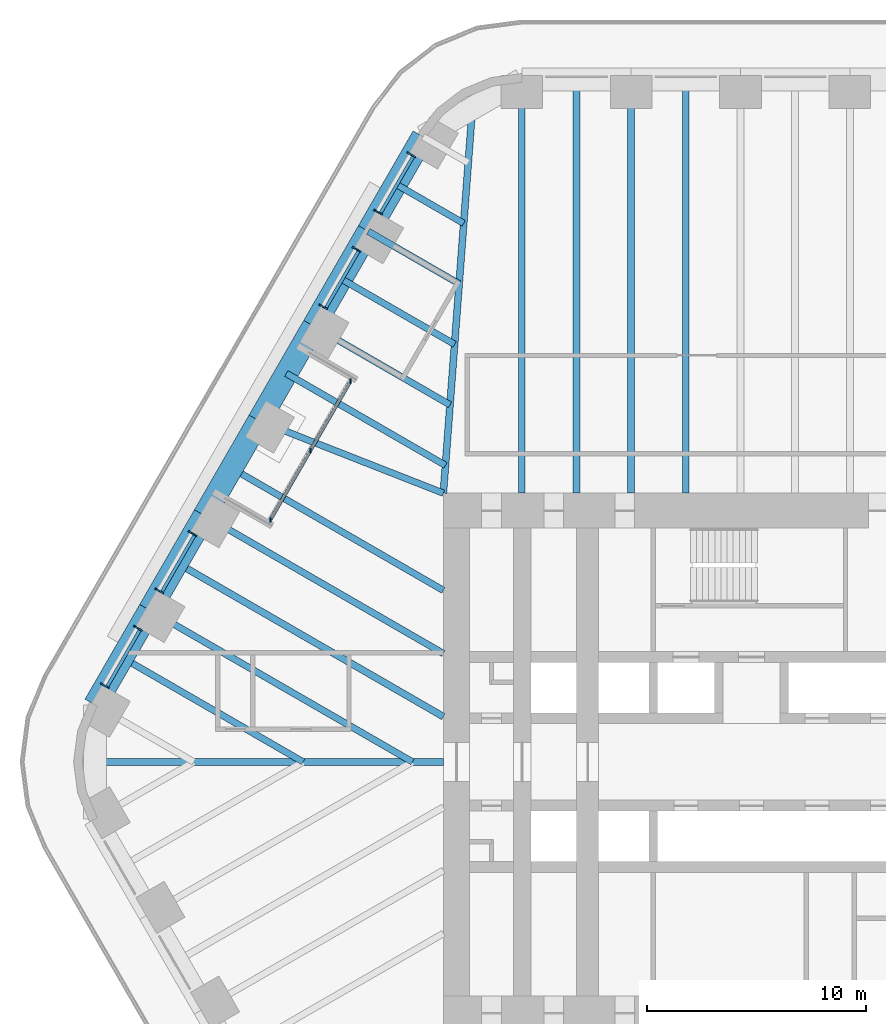
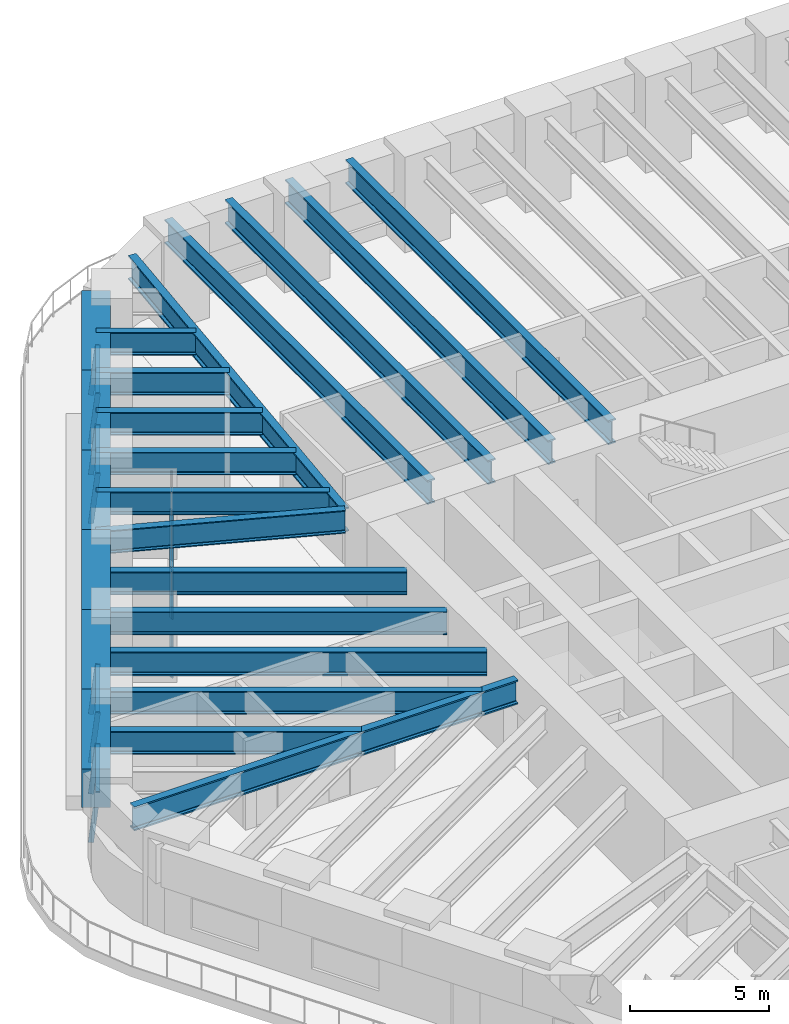
# One storey, part 6 of 19: 23 beams, 16 members, 5 elements without a shape of their own.
"""IFC4 building model written with IfcOpenShell, lengths in metres."""

import ifcopenshell
import ifcopenshell.guid

model = None  # the IFC model being written
_history = None  # IfcOwnerHistory: only IFC2X3 demands one
_inside = {}  # id of a spatial element -> (the spatial element, [elements in it])
_under = {}  # id of a project, library or spatial element -> (it, [spatial elements below it])
_declared = {}  # id of a project -> (the project, [libraries it declares])
_typed = {}  # id of a type object -> (the type object, [elements of that type])
_made_of = {}  # id of a material, layer set ... -> (it, [elements and type objects made of it])


def new_model(schema):
    """Start an empty IFC model of exactly this schema.

    Asked for "IFC4X3", IfcOpenShell would pick the latest addendum, in which some entities
    have other attributes; the version numbers below select the first issue.
    IFC2X3 requires an IfcOwnerHistory on every rooted entity: one is made here for all.
    """
    global model, _history
    if schema == "IFC4X3":
        model = ifcopenshell.file(schema_version=(4, 3, 0, 0))
    else:
        model = ifcopenshell.file(schema=schema)
    _inside.clear()
    _under.clear()
    _declared.clear()
    _typed.clear()
    _made_of.clear()
    _history = None
    if model.schema == "IFC2X3":
        org = make("IfcOrganization", Name="unknown")
        user = make(
            "IfcPersonAndOrganization",
            ThePerson=make("IfcPerson", FamilyName="unknown"),
            TheOrganization=org,
        )
        app = make(
            "IfcApplication",
            ApplicationDeveloper=org,
            Version="unknown",
            ApplicationFullName="unknown",
            ApplicationIdentifier="unknown",
        )
        _history = make(
            "IfcOwnerHistory",
            OwningUser=user,
            OwningApplication=app,
            ChangeAction="ADDED",
            CreationDate=0,
        )
    return model


def make(cls, **values):
    """One entity of the class cls with the attributes given. An attribute that is None is left unset."""
    return model.create_entity(
        cls, **{name: value for name, value in values.items() if value is not None}
    )


def rooted(cls, **values):
    """An entity with a GlobalId (a new one), such as an element, a storey or a relation."""
    return make(cls, GlobalId=ifcopenshell.guid.new(), OwnerHistory=_history, **values)


def si_unit(unit_type, name, prefix=None):
    """IfcSIUnit, for example si_unit("LENGTHUNIT", "METRE", prefix="MILLI")."""
    return make("IfcSIUnit", UnitType=unit_type, Prefix=prefix, Name=name)


def assignment(units):
    """IfcUnitAssignment: the units of a project."""
    return None if units is None else make("IfcUnitAssignment", Units=units)


def point(xyz):
    """IfcCartesianPoint."""
    return None if xyz is None else make("IfcCartesianPoint", Coordinates=xyz)


def direction(xyz):
    """IfcDirection."""
    return None if xyz is None else make("IfcDirection", DirectionRatios=xyz)


def frame(location, z_axis=None, x_axis=None):
    """IfcAxis2Placement3D, a coordinate frame: its origin and axes. An axis left out is left unset."""
    return make(
        "IfcAxis2Placement3D",
        Location=point(location),
        Axis=direction(z_axis),
        RefDirection=direction(x_axis),
    )


def frame_2d(location, x_axis=None):
    """IfcAxis2Placement2D, a coordinate frame in the plane: its origin and x axis."""
    return make(
        "IfcAxis2Placement2D", Location=point(location), RefDirection=direction(x_axis)
    )


def origin():
    """The frame at (0, 0, 0) with its axes left unset."""
    return frame((0.0, 0.0, 0.0))


def origin_2d():
    """The frame at (0, 0) in the plane with its x axis left unset."""
    return frame_2d((0.0, 0.0))


def place(relative_to, where):
    """IfcLocalPlacement: puts the frame where relative to a parent placement (None: the world)."""
    return make(
        "IfcLocalPlacement", PlacementRelTo=relative_to, RelativePlacement=where
    )


def context(
    kind, dimensions, precision=None, world=None, true_north=None, identifier=None
):
    """IfcGeometricRepresentationContext, for example the 3D "Model" context."""
    return make(
        "IfcGeometricRepresentationContext",
        ContextIdentifier=identifier,
        ContextType=kind,
        CoordinateSpaceDimension=dimensions,
        Precision=precision,
        WorldCoordinateSystem=world,
        TrueNorth=true_north,
    )


def subcontext(parent, identifier, kind, view, scale=None):
    """IfcGeometricRepresentationSubContext, for example "Body" below "Model"."""
    return make(
        "IfcGeometricRepresentationSubContext",
        ContextIdentifier=identifier,
        ContextType=kind,
        ParentContext=parent,
        TargetScale=scale,
        TargetView=view,
    )


def project(units=None, contexts=None):
    """IfcProject with its units and contexts."""
    return rooted(
        "IfcProject",
        Name="project",
        RepresentationContexts=contexts,
        UnitsInContext=assignment(units),
    )


def spatial(cls, under=None, at=None, **own):
    """A site, building, storey or space (cls), placed at a placement, below another one or the project."""
    s = rooted(cls, ObjectPlacement=at, **own)
    if under is not None:
        _under.setdefault(under.id(), (under, []))[1].append(s)
    return s


def profile(cls, at=None, kind="AREA", **sizes):
    """A parametric profile (cls). Its sizes go by their IFC names, for example OverallWidth=200.0."""
    return make(cls, ProfileType=kind, Position=at, **sizes)


def rectangle(**sizes):
    """IfcRectangleProfileDef."""
    return profile("IfcRectangleProfileDef", **sizes)


def i_section(**sizes):
    """IfcIShapeProfileDef."""
    return profile("IfcIShapeProfileDef", **sizes)


def extrude(swept, where, along, depth):
    """IfcExtrudedAreaSolid: the profile swept, set in the frame where, extruded along a direction by depth."""
    return make(
        "IfcExtrudedAreaSolid",
        SweptArea=swept,
        Position=where,
        ExtrudedDirection=direction(along),
        Depth=depth,
    )


def shape(context_of_items, identifier, shape_type, items):
    """IfcShapeRepresentation: the items that make up one representation, for example the "Body"."""
    return make(
        "IfcShapeRepresentation",
        ContextOfItems=context_of_items,
        RepresentationIdentifier=identifier,
        RepresentationType=shape_type,
        Items=items,
    )


def material(Name=None, Category=None):
    """IfcMaterial."""
    return make("IfcMaterial", Name=Name, Category=Category)


def material_profile(
    of_material, cross_section, Name=None, Category=None, Priority=None
):
    """IfcMaterialProfile: a cross section and its material."""
    return make(
        "IfcMaterialProfile",
        Name=Name,
        Material=of_material,
        Profile=cross_section,
        Priority=Priority,
        Category=Category,
    )


def profile_set(profiles, Name=None, composite=None):
    """IfcMaterialProfileSet."""
    return make(
        "IfcMaterialProfileSet",
        Name=Name,
        MaterialProfiles=profiles,
        CompositeProfile=composite,
    )


def made_of(thing, what):
    """Note that an element or type object is made of a material, layer set ...; save() writes the relation."""
    if what is not None:
        _made_of.setdefault(what.id(), (what, []))[1].append(thing)
    return thing


def type_object(cls, material=None, **own):
    """A type object (cls), such as IfcWallType, which elements share."""
    return made_of(rooted(cls, **own), material)


def element(
    cls,
    number,
    at=None,
    inside=None,
    cuts=None,
    type_object=None,
    material=None,
    context=None,
    identifier="Body",
    shape_type=None,
    held_by="IfcProductDefinitionShape",
    body=None,
    shapes=None,
    **own,
):
    """One element of the class cls, such as IfcWall. Its Tag is "e" and its number.

    at: its placement. inside: the storey or other place that contains it. cuts: it is an
    opening in that element (IfcRelVoidsElement). A single representation is given by context,
    identifier, shape_type and body (its items); several are given by shapes. held_by: the class
    of the entity that holds the representations. save() writes the other relations.
    """
    e = rooted(cls, Tag="e%d" % number, ObjectPlacement=at, **own)
    if body is not None:
        shapes = [shape(context, identifier, shape_type, body)]
    if shapes is not None:
        e.Representation = make(held_by, Representations=shapes)
    if inside is not None:
        _inside.setdefault(inside.id(), (inside, []))[1].append(e)
    if cuts is not None:
        rooted(
            "IfcRelVoidsElement", RelatingBuildingElement=cuts, RelatedOpeningElement=e
        )
    if type_object is not None:
        _typed.setdefault(type_object.id(), (type_object, []))[1].append(e)
    return made_of(e, material)


def aggregate(whole, parts):
    """IfcRelAggregates: a whole, such as a stair, and the parts it consists of."""
    return rooted("IfcRelAggregates", RelatingObject=whole, RelatedObjects=parts)


def save(model, path):
    """Write the relations noted so far, then the file.

    IfcRelAggregates (storeys below a building ...), IfcRelContainedInSpatialStructure (elements
    in a storey), IfcRelDefinesByType, IfcRelAssociatesMaterial and IfcRelDeclares: one each for
    every whole, place, type object, material and project.
    """
    for whole, parts in _under.values():
        aggregate(whole, parts)
    for where, things in _inside.values():
        rooted(
            "IfcRelContainedInSpatialStructure",
            RelatedElements=things,
            RelatingStructure=where,
        )
    for kind, things in _typed.values():
        rooted("IfcRelDefinesByType", RelatedObjects=things, RelatingType=kind)
    for what, things in _made_of.values():
        rooted("IfcRelAssociatesMaterial", RelatedObjects=things, RelatingMaterial=what)
    for by, libraries in _declared.values():
        rooted("IfcRelDeclares", RelatingContext=by, RelatedDefinitions=libraries)
    model.write(path)


model = new_model("IFC4")

# Units and contexts
model_context = context("Model", 3, precision=1e-05, world=origin(), true_north=direction((0.0, 1.0)))
body_context = subcontext(model_context, "Body", "Model", "MODEL_VIEW")
ifc_project = project(units=[si_unit("LENGTHUNIT", "METRE"), si_unit("AREAUNIT", "SQUARE_METRE"), si_unit("VOLUMEUNIT", "CUBIC_METRE"), si_unit("PLANEANGLEUNIT", "RADIAN"), si_unit("MASSUNIT", "GRAM", prefix="KILO")], contexts=[model_context])

# Site, building, storey
site_placement = place(None, origin())
site = spatial("IfcSite", under=ifc_project, at=site_placement, CompositionType="ELEMENT")
building_placement = place(site_placement, origin())
building = spatial("IfcBuilding", under=site, at=building_placement, Name="Tarfa Lantern Tower", CompositionType="ELEMENT")
storey_placement = place(building_placement, frame((0.0, 0.0, 199.300048828125)))
storey = spatial("IfcBuildingStorey", under=building, at=storey_placement, Name="L45", CompositionType="ELEMENT", Elevation=199.300048828125)

# Curtain wall, members
ifc_material_1 = material(Name="Aluminium framed curtain wall", Category="aluminium")
curtain_wall_type_1 = type_object("IfcCurtainWallType", Name="CW2 CANTED GLAZING MID ZONE 2200", PredefinedType="USERDEFINED", material=ifc_material_1)
curtain_wall_1_placement = place(storey_placement, origin())
curtain_wall_1 = element("IfcCurtainWall", 1, at=curtain_wall_1_placement, inside=storey, type_object=curtain_wall_type_1, Name="CW2 NW L45", ObjectType="CURTAIN WALL", PredefinedType="USERDEFINED")
ifc_material_2 = material(Name="Aluminium mullion", Category="aluminium")
ifc_material_profile_1 = material_profile(ifc_material_2, rectangle(XDim=0.06494140625, YDim=0.199951171875, at=origin_2d()), Name="AL MULLION 65x200")
ifc_profile_set_1 = profile_set([ifc_material_profile_1], Name="Aluminium mullion")
member_type_1 = type_object("IfcMemberType", Name="CWM1 MULLION 65x200", PredefinedType="MULLION", material=ifc_profile_set_1)
member_1_placement = place(storey_placement, frame((-20.178955078125, 27.84912109375, 0.0), z_axis=(0.097805549444, -0.056455965406, 0.993602938033), x_axis=(0.499919672301, 0.866071776036, 0.0)))
member_1 = element("IfcMember", 2, at=member_1_placement, type_object=member_type_1, Name="CW2 mullion 1", PredefinedType="MULLION", context=body_context, shape_type="SweptSolid", body=[
    extrude(rectangle(XDim=0.06494140625, YDim=0.199951171875, at=origin_2d()), origin(), (0.0, 0.0, 1.0), 2.214111328125),
])
member_2_placement = place(storey_placement, frame((-21.6982421875, 25.217529296875, 0.0), z_axis=(0.097805549444, -0.056455965406, 0.993602938033), x_axis=(0.499919672301, 0.866071776036, 0.0)))
member_2 = element("IfcMember", 3, at=member_2_placement, type_object=member_type_1, Name="CW2 mullion 2", PredefinedType="MULLION", context=body_context, shape_type="SweptSolid", body=[
    extrude(rectangle(XDim=0.06494140625, YDim=0.199951171875, at=origin_2d()), origin(), (0.0, 0.0, 1.0), 2.214111328125),
])

curtain_wall_2_placement = place(storey_placement, origin())
curtain_wall_2 = element("IfcCurtainWall", 4, at=curtain_wall_2_placement, inside=storey, type_object=curtain_wall_type_1, Name="CW2 NW L45", ObjectType="CURTAIN WALL", PredefinedType="USERDEFINED")
member_3_placement = place(storey_placement, frame((-22.6806640625, 23.515869140625, 0.0), z_axis=(0.097696336912, -0.056456573927, 0.99361364776), x_axis=(0.500342721131, 0.865827443207, 0.0)))
member_3 = element("IfcMember", 5, at=member_3_placement, type_object=member_type_1, Name="CW2 mullion 1", PredefinedType="MULLION", context=body_context, shape_type="SweptSolid", body=[
    extrude(rectangle(XDim=0.06494140625, YDim=0.199951171875, at=origin_2d()), origin(), (0.0, 0.0, 1.0), 2.214111328125),
])
member_4_placement = place(storey_placement, frame((-24.2001953125, 20.88427734375, 0.0), z_axis=(0.097805549444, -0.056455965406, 0.993602938033), x_axis=(0.499919672301, 0.866071776036, 0.0)))
member_4 = element("IfcMember", 6, at=member_4_placement, type_object=member_type_1, Name="CW2 mullion 2", PredefinedType="MULLION", context=body_context, shape_type="SweptSolid", body=[
    extrude(rectangle(XDim=0.06494140625, YDim=0.199951171875, at=origin_2d()), origin(), (0.0, 0.0, 1.0), 2.214111328125),
])

curtain_wall_3_placement = place(storey_placement, origin())
curtain_wall_3 = element("IfcCurtainWall", 7, at=curtain_wall_3_placement, inside=storey, type_object=curtain_wall_type_1, Name="CW2 NWB L45", ObjectType="CURTAIN WALL", PredefinedType="USERDEFINED")
member_5_placement = place(storey_placement, frame((-30.186279296875, 10.515869140625, 0.0), z_axis=(0.097805549444, -0.056455965406, 0.993602938033), x_axis=(0.499919672301, 0.866071776036, 0.0)))
member_5 = element("IfcMember", 8, at=member_5_placement, type_object=member_type_1, Name="CW2 mullion 1", PredefinedType="MULLION", context=body_context, shape_type="SweptSolid", body=[
    extrude(rectangle(XDim=0.06494140625, YDim=0.199951171875, at=origin_2d()), origin(), (0.0, 0.0, 1.0), 2.214111328125),
])
member_6_placement = place(storey_placement, frame((-31.70556640625, 7.88427734375, 0.0), z_axis=(0.097696336912, -0.056456573927, 0.99361364776), x_axis=(0.500342721131, 0.865827443207, 0.0)))
member_6 = element("IfcMember", 9, at=member_6_placement, type_object=member_type_1, Name="CW2 mullion 2", PredefinedType="MULLION", context=body_context, shape_type="SweptSolid", body=[
    extrude(rectangle(XDim=0.06494140625, YDim=0.199951171875, at=origin_2d()), origin(), (0.0, 0.0, 1.0), 2.214111328125),
])

curtain_wall_4_placement = place(storey_placement, origin())
curtain_wall_4 = element("IfcCurtainWall", 10, at=curtain_wall_4_placement, inside=storey, type_object=curtain_wall_type_1, Name="CW2 NWB L45", ObjectType="CURTAIN WALL", PredefinedType="USERDEFINED")
member_7_placement = place(storey_placement, frame((-32.688232421875, 6.182373046875, 0.0), z_axis=(0.097805549444, -0.056455965406, 0.993602938033), x_axis=(0.499919672301, 0.866071776036, 0.0)))
member_7 = element("IfcMember", 11, at=member_7_placement, type_object=member_type_1, Name="CW2 mullion 1", PredefinedType="MULLION", context=body_context, shape_type="SweptSolid", body=[
    extrude(rectangle(XDim=0.06494140625, YDim=0.199951171875, at=origin_2d()), origin(), (0.0, 0.0, 1.0), 2.214111328125),
])
member_8_placement = place(storey_placement, frame((-34.20751953125, 3.55078125, 0.0), z_axis=(0.097805549444, -0.056455965406, 0.993602938033), x_axis=(0.499919672301, 0.866071776036, 0.0)))
member_8 = element("IfcMember", 12, at=member_8_placement, type_object=member_type_1, Name="CW2 mullion 2", PredefinedType="MULLION", context=body_context, shape_type="SweptSolid", body=[
    extrude(rectangle(XDim=0.06494140625, YDim=0.199951171875, at=origin_2d()), origin(), (0.0, 0.0, 1.0), 2.214111328125),
])

curtain_wall_type_2 = type_object("IfcCurtainWallType", Name="CW10 LOGGIA GLAZING 2200", PredefinedType="USERDEFINED", material=ifc_material_1)
curtain_wall_5_placement = place(storey_placement, origin())
curtain_wall_5 = element("IfcCurtainWall", 13, at=curtain_wall_5_placement, inside=storey, type_object=curtain_wall_type_2, Name="CW10 NWL L45", ObjectType="CURTAIN WALL", PredefinedType="USERDEFINED")
member_9_placement = place(storey_placement, frame((-22.84619140625, 17.429443359375, 0.0), z_axis=(0.0, 0.0, 1.0), x_axis=(1.0, 0.0, 0.0)))
member_9 = element("IfcMember", 14, at=member_9_placement, type_object=member_type_1, Name="CW10 mullion 1", PredefinedType="MULLION", context=body_context, shape_type="SweptSolid", body=[
    extrude(rectangle(XDim=0.06494140625, YDim=0.199951171875, at=origin_2d()), origin(), (0.0, 0.0, 1.0), 2.199951171875),
])
member_10_placement = place(storey_placement, frame((-24.681640625, 14.25, 0.0), z_axis=(0.0, 0.0, 1.0), x_axis=(1.0, 0.0, 0.0)))
member_10 = element("IfcMember", 15, at=member_10_placement, type_object=member_type_1, Name="CW10 mullion 2", PredefinedType="MULLION", context=body_context, shape_type="SweptSolid", body=[
    extrude(rectangle(XDim=0.06494140625, YDim=0.199951171875, at=origin_2d()), origin(), (0.0, 0.0, 1.0), 2.199951171875),
])
member_11_placement = place(storey_placement, frame((-26.517333984375, 11.070556640625, 0.0), z_axis=(0.0, 0.0, 1.0), x_axis=(1.0, 0.0, 0.0)))
member_11 = element("IfcMember", 16, at=member_11_placement, type_object=member_type_1, Name="CW10 mullion 3", PredefinedType="MULLION", context=body_context, shape_type="SweptSolid", body=[
    extrude(rectangle(XDim=0.06494140625, YDim=0.199951171875, at=origin_2d()), origin(), (0.0, 0.0, 1.0), 2.199951171875),
])

# Member
ifc_material_3 = material(Name="Aluminium transom", Category="aluminium")
ifc_material_profile_2 = material_profile(ifc_material_3, rectangle(XDim=0.14990234375, YDim=0.06494140625, at=origin_2d()), Name="AL TRANSOM 150x65")
ifc_profile_set_2 = profile_set([ifc_material_profile_2], Name="Aluminium transom")
member_type_2 = type_object("IfcMemberType", Name="CWT1 TRANSOM 150x65", PredefinedType="USERDEFINED", material=ifc_profile_set_2)
member_12_placement = place(storey_placement, frame((-19.98193359375, 27.69775390625, 2.16748046875), z_axis=(-0.500006734102, -0.866021515814, 0.0), x_axis=(0.866021515814, -0.500006734102, 0.0)))
member_12 = element("IfcMember", 17, at=member_12_placement, type_object=member_type_2, Name="CW2 transom 1.2", ObjectType="TRANSOM", PredefinedType="USERDEFINED", context=body_context, shape_type="SweptSolid", body=[
    extrude(rectangle(XDim=0.14990234375, YDim=0.06494140625, at=origin_2d()), origin(), (0.0, 0.0, 1.0), 2.9736328125),
])

aggregate(curtain_wall_1, [member_1, member_2, member_12])

member_13_placement = place(storey_placement, frame((-22.483642578125, 23.364501953125, 2.16748046875), z_axis=(-0.500006734102, -0.866021515814, 0.0), x_axis=(0.866021515814, -0.500006734102, 0.0)))
member_13 = element("IfcMember", 18, at=member_13_placement, type_object=member_type_2, Name="CW2 transom 1.2", ObjectType="TRANSOM", PredefinedType="USERDEFINED", context=body_context, shape_type="SweptSolid", body=[
    extrude(rectangle(XDim=0.14990234375, YDim=0.06494140625, at=origin_2d()), origin(), (0.0, 0.0, 1.0), 2.9736328125),
])

aggregate(curtain_wall_2, [member_3, member_4, member_13])

member_14_placement = place(storey_placement, frame((-29.9892578125, 10.364501953125, 2.16748046875), z_axis=(-0.500006734102, -0.866021515814, 0.0), x_axis=(0.866021515814, -0.500006734102, 0.0)))
member_14 = element("IfcMember", 19, at=member_14_placement, type_object=member_type_2, Name="CW2 transom 1.2", ObjectType="TRANSOM", PredefinedType="USERDEFINED", context=body_context, shape_type="SweptSolid", body=[
    extrude(rectangle(XDim=0.14990234375, YDim=0.06494140625, at=origin_2d()), origin(), (0.0, 0.0, 1.0), 2.9736328125),
])

aggregate(curtain_wall_3, [member_5, member_6, member_14])

member_15_placement = place(storey_placement, frame((-32.4912109375, 6.03125, 2.16748046875), z_axis=(-0.499971184285, -0.866042039906, 0.0), x_axis=(0.866042039906, -0.499971184285, 0.0)))
member_15 = element("IfcMember", 20, at=member_15_placement, type_object=member_type_2, Name="CW2 transom 1.2", ObjectType="TRANSOM", PredefinedType="USERDEFINED", context=body_context, shape_type="SweptSolid", body=[
    extrude(rectangle(XDim=0.14990234375, YDim=0.06494140625, at=origin_2d()), origin(), (0.0, 0.0, 1.0), 2.973876953125),
])

aggregate(curtain_wall_4, [member_7, member_8, member_15])

member_16_placement = place(storey_placement, frame((-22.8623046875, 17.401123046875, 2.16748046875), z_axis=(-0.500007048974, -0.866021334019, 0.0), x_axis=(0.866021334019, -0.500007048974, 0.0)))
member_16 = element("IfcMember", 21, at=member_16_placement, type_object=member_type_2, Name="CW10 transom 1.2", ObjectType="TRANSOM", PredefinedType="USERDEFINED", context=body_context, shape_type="SweptSolid", body=[
    extrude(rectangle(XDim=0.14990234375, YDim=0.06494140625, at=origin_2d()), origin(), (0.0, 0.0, 1.0), 7.27734375),
])

aggregate(curtain_wall_5, [member_9, member_10, member_11, member_16])

# Beams
ifc_material_4 = material(Name="Concrete C80/95", Category="concrete")
ifc_material_profile_3 = material_profile(ifc_material_4, rectangle(XDim=1.050048828125, YDim=1.699951171875, at=origin_2d()), Name="RC 1050x1700")
ifc_profile_set_3 = profile_set([ifc_material_profile_3], Name="Concrete C80/95")
beam_type_1 = type_object("IfcBeamType", Name="RB2 RC 1050x1700", PredefinedType="BEAM", material=ifc_profile_set_3)
beam_1_placement = place(storey_placement, frame((-19.53173828125, 28.610107421875, 3.050048828125), z_axis=(-0.500001197378, -0.866024712477, 0.0), x_axis=(0.866024712477, -0.500001197378, 0.0)))
element("IfcBeam", 22, at=beam_1_placement, inside=storey, type_object=beam_type_1, Name="Edge beam NW0", PredefinedType="BEAM", context=body_context, shape_type="SweptSolid", body=[
    extrude(rectangle(XDim=1.050048828125, YDim=1.699951171875, at=origin_2d()), origin(), (0.0, 0.0, 1.0), 5.00390625),
])
for number, where, z_axis, x_axis, name in (
    (23, (-22.03369140625, 24.276611328125, 3.050048828125), (-0.49998573051, -0.866033642122, 0.0), (0.866033642122, -0.49998573051, 0.0), "Edge beam NW1"),
    (24, (-24.535400390625, 19.943359375, 3.050048828125), (-0.500022324899, -0.866012514114, 0.0), (0.866012514114, -0.500022324899, 0.0), "Edge beam NW2"),
    (25, (-27.037353515625, 15.610107421875, 3.050048828125), (-0.499964603504, -0.866045838996, 0.0), (0.866045838996, -0.499964603504, 0.0), "Edge beam NW3"),
    (26, (-29.5390625, 11.276611328125, 3.050048828125), (-0.500022324899, -0.866012514114, 0.0), (0.866012514114, -0.500022324899, 0.0), "Edge beam NW4"),
    (27, (-32.041015625, 6.943359375, 3.050048828125), (-0.500022324899, -0.866012514114, 0.0), (0.866012514114, -0.500022324899, 0.0), "Edge beam NW5"),
):
    element("IfcBeam", number, at=place(storey_placement, frame(where, z_axis=z_axis, x_axis=x_axis)), inside=storey, type_object=beam_type_1, Name=name, PredefinedType="BEAM", context=body_context, shape_type="SweptSolid", body=[
        extrude(rectangle(XDim=1.050048828125, YDim=1.699951171875, at=origin_2d()), origin(), (0.0, 0.0, 1.0), 5.003662109375),
    ])
ifc_material_5 = material(Name="Steel S460M", Category="steel")
ifc_material_profile_4 = material_profile(ifc_material_5, i_section(OverallWidth=0.302001953125, OverallDepth=1.008056640625, WebThickness=0.02099609375, FlangeThickness=0.0400390625, FilletRadius=0.030029296875, at=origin_2d()), Name="UB1016x305x349")
ifc_profile_set_4 = profile_set([ifc_material_profile_4], Name="Steel S460M")
beam_type_2 = type_object("IfcBeamType", Name="UB1016x305x349", PredefinedType="BEAM", material=ifc_profile_set_4)
beam_2_placement = place(storey_placement, frame((-22.03369140625, 24.276611328125, 3.39599609375), z_axis=(0.866030550462, -0.499991085587, 0.0), x_axis=(0.499991085587, 0.866030550462, 0.0)))
element("IfcBeam", 28, at=beam_2_placement, inside=storey, type_object=beam_type_2, Name="Floor beam NW1", PredefinedType="BEAM", context=body_context, shape_type="SweptSolid", body=[
    extrude(i_section(OverallWidth=0.302001953125, OverallDepth=1.008056640625, WebThickness=0.02099609375, FlangeThickness=0.0400390625, FilletRadius=0.030029296875, at=origin_2d()), origin(), (0.0, 0.0, 1.0), 4.798828125),
])
beam_3_placement = place(storey_placement, frame((-24.535400390625, 19.943359375, 3.39599609375), z_axis=(0.86602647304, -0.499998147991, 0.0), x_axis=(0.499998147991, 0.86602647304, 0.0)))
element("IfcBeam", 29, at=beam_3_placement, inside=storey, type_object=beam_type_2, Name="Floor beam NW2", PredefinedType="BEAM", context=body_context, shape_type="SweptSolid", body=[
    extrude(i_section(OverallWidth=0.302001953125, OverallDepth=1.008056640625, WebThickness=0.02099609375, FlangeThickness=0.0400390625, FilletRadius=0.030029296875, at=origin_2d()), origin(), (0.0, 0.0, 1.0), 7.20556640625),
])
beam_4_placement = place(storey_placement, frame((-27.037353515625, 15.610107421875, 3.39599609375), z_axis=(0.930923282782, -0.365214788274, 0.0), x_axis=(0.365214788274, 0.930923282782, 0.0)))
element("IfcBeam", 30, at=beam_4_placement, inside=storey, type_object=beam_type_2, Name="Floor beam NW3", PredefinedType="BEAM", context=body_context, shape_type="SweptSolid", body=[
    extrude(i_section(OverallWidth=0.302001953125, OverallDepth=1.008056640625, WebThickness=0.02099609375, FlangeThickness=0.0400390625, FilletRadius=0.030029296875, at=origin_2d()), origin(), (0.0, 0.0, 1.0), 9.063232421875),
])
beam_5_placement = place(storey_placement, frame((-29.5390625, 11.276611328125, 3.39599609375), z_axis=(0.866023362995, -0.500003534735, 0.0), x_axis=(0.500003534735, 0.866023362995, 0.0)))
element("IfcBeam", 31, at=beam_5_placement, inside=storey, type_object=beam_type_2, Name="Floor beam NW4", PredefinedType="BEAM", context=body_context, shape_type="SweptSolid", body=[
    extrude(i_section(OverallWidth=0.302001953125, OverallDepth=1.008056640625, WebThickness=0.02099609375, FlangeThickness=0.0400390625, FilletRadius=0.030029296875, at=origin_2d()), origin(), (0.0, 0.0, 1.0), 12.63134765625),
])
beam_6_placement = place(storey_placement, frame((-32.041015625, 6.943359375, 3.39599609375), z_axis=(0.866023096411, -0.500003996466, 0.0), x_axis=(0.500003996466, 0.866023096411, 0.0)))
element("IfcBeam", 32, at=beam_6_placement, inside=storey, type_object=beam_type_2, Name="Floor beam NW5", PredefinedType="BEAM", context=body_context, shape_type="SweptSolid", body=[
    extrude(i_section(OverallWidth=0.302001953125, OverallDepth=1.008056640625, WebThickness=0.02099609375, FlangeThickness=0.0400390625, FilletRadius=0.030029296875, at=origin_2d()), origin(), (0.0, 0.0, 1.0), 13.88671875),
])
beam_7_placement = place(storey_placement, frame((-20.78271484375, 26.443359375, 3.39599609375), z_axis=(0.866011447264, -0.500024172624, 0.0), x_axis=(0.500024172624, 0.866011447264, 0.0)))
element("IfcBeam", 33, at=beam_7_placement, inside=storey, type_object=beam_type_2, Name="Floor beam NW0M", PredefinedType="BEAM", context=body_context, shape_type="SweptSolid", body=[
    extrude(i_section(OverallWidth=0.302001953125, OverallDepth=1.008056640625, WebThickness=0.02099609375, FlangeThickness=0.0400390625, FilletRadius=0.030029296875, at=origin_2d()), origin(), (0.0, 0.0, 1.0), 3.595458984375),
])
beam_8_placement = place(storey_placement, frame((-23.284423828125, 22.110107421875, 3.39599609375), z_axis=(0.866014212035, -0.500019384178, 0.0), x_axis=(0.500019384178, 0.866014212035, 0.0)))
element("IfcBeam", 34, at=beam_8_placement, inside=storey, type_object=beam_type_2, Name="Floor beam NW1M", PredefinedType="BEAM", context=body_context, shape_type="SweptSolid", body=[
    extrude(i_section(OverallWidth=0.302001953125, OverallDepth=1.008056640625, WebThickness=0.02099609375, FlangeThickness=0.0400390625, FilletRadius=0.030029296875, at=origin_2d()), origin(), (0.0, 0.0, 1.0), 6.002197265625),
])
beam_9_placement = place(storey_placement, frame((-25.786376953125, 17.776611328125, 3.39599609375), z_axis=(0.86602796634, -0.499995561497, 0.0), x_axis=(0.499995561497, 0.86602796634, 0.0)))
element("IfcBeam", 35, at=beam_9_placement, inside=storey, type_object=beam_type_2, Name="Floor beam NW2M", PredefinedType="BEAM", context=body_context, shape_type="SweptSolid", body=[
    extrude(i_section(OverallWidth=0.302001953125, OverallDepth=1.008056640625, WebThickness=0.02099609375, FlangeThickness=0.0400390625, FilletRadius=0.030029296875, at=origin_2d()), origin(), (0.0, 0.0, 1.0), 8.40869140625),
])
beam_10_placement = place(storey_placement, frame((-28.288330078125, 13.443359375, 3.39599609375), z_axis=(0.866025316205, -0.500000151692, 0.0), x_axis=(0.500000151692, 0.866025316205, 0.0)))
element("IfcBeam", 36, at=beam_10_placement, inside=storey, type_object=beam_type_2, Name="Floor beam NW3M", PredefinedType="BEAM", context=body_context, shape_type="SweptSolid", body=[
    extrude(i_section(OverallWidth=0.302001953125, OverallDepth=1.008056640625, WebThickness=0.02099609375, FlangeThickness=0.0400390625, FilletRadius=0.030029296875, at=origin_2d()), origin(), (0.0, 0.0, 1.0), 11.18701171875),
])
beam_11_placement = place(storey_placement, frame((-33.2919921875, 4.776611328125, 3.39599609375), z_axis=(0.866028125123, -0.499995286474, 0.0), x_axis=(0.499995286474, 0.866028125123, 0.0)))
element("IfcBeam", 37, at=beam_11_placement, inside=storey, type_object=beam_type_2, Name="Floor beam NW5M", PredefinedType="BEAM", context=body_context, shape_type="SweptSolid", body=[
    extrude(i_section(OverallWidth=0.302001953125, OverallDepth=1.008056640625, WebThickness=0.02099609375, FlangeThickness=0.0400390625, FilletRadius=0.030029296875, at=origin_2d()), origin(), (0.0, 0.0, 1.0), 9.55322265625),
])
ifc_material_profile_5 = material_profile(ifc_material_5, i_section(OverallWidth=0.314208984375, OverallDepth=1.055908203125, WebThickness=0.035888671875, FlangeThickness=0.06396484375, FilletRadius=0.030029296875, at=origin_2d()), Name="UB1016x305x584")
ifc_profile_set_5 = profile_set([ifc_material_profile_5], Name="Steel S460M")
beam_type_3 = type_object("IfcBeamType", Name="UB1016x305x584", PredefinedType="BEAM", material=ifc_profile_set_5)
beam_12_placement = place(storey_placement, frame((-18.60009765625, 12.300048828125, 3.3720703125), z_axis=(0.075211516041, 0.99716760269, 0.0), x_axis=(-0.99716760269, 0.075211516041, 0.0)))
element("IfcBeam", 38, at=beam_12_placement, inside=storey, type_object=beam_type_3, Name="Hip girder NW", PredefinedType="BEAM", context=body_context, shape_type="SweptSolid", body=[
    extrude(i_section(OverallWidth=0.314208984375, OverallDepth=1.055908203125, WebThickness=0.035888671875, FlangeThickness=0.06396484375, FilletRadius=0.030029296875, at=origin_2d()), origin(), (0.0, 0.0, 1.0), 17.6650390625),
])
beam_13_placement = place(storey_placement, frame((-18.60009765625, 0.0, 3.3720703125), z_axis=(-1.0, 0.0, 0.0), x_axis=(0.0, -1.0, 0.0)))
element("IfcBeam", 39, at=beam_13_placement, inside=storey, type_object=beam_type_3, Name="Hip girder W", PredefinedType="BEAM", context=body_context, shape_type="SweptSolid", body=[
    extrude(i_section(OverallWidth=0.314208984375, OverallDepth=1.055908203125, WebThickness=0.035888671875, FlangeThickness=0.06396484375, FilletRadius=0.030029296875, at=origin_2d()), origin(), (0.0, 0.0, 1.0), 15.94287109375),
])
for number, where, z_axis, x_axis, name in (
    (40, (-10.00732421875, 31.219970703125, 3.3720703125), (0.0, -1.0, 0.0), (1.0, 0.0, 0.0), "Floor beam N5"),
    (41, (-15.010986328125, 31.219970703125, 3.3720703125), (0.0, -1.0, 0.0), (1.0, 0.0, 0.0), "Floor beam N6"),
    (42, (-7.505615234375, 31.219970703125, 3.3720703125), (0.0, -1.0, 0.0), (1.0, 0.0, 0.0), "Floor beam N4M"),
    (43, (-12.50927734375, 31.219970703125, 3.3720703125), (0.0, -1.0, 0.0), (1.0, 0.0, 0.0), "Floor beam N5M"),
):
    element("IfcBeam", number, at=place(storey_placement, frame(where, z_axis=z_axis, x_axis=x_axis)), inside=storey, type_object=beam_type_3, Name=name, PredefinedType="BEAM", context=body_context, shape_type="SweptSolid", body=[
        extrude(i_section(OverallWidth=0.314208984375, OverallDepth=1.055908203125, WebThickness=0.035888671875, FlangeThickness=0.06396484375, FilletRadius=0.030029296875, at=origin_2d()), origin(), (0.0, 0.0, 1.0), 18.919921875),
    ])
beam_14_placement = place(storey_placement, frame((-30.7900390625, 9.110107421875, 3.3720703125), z_axis=(0.866018636338, -0.500011721377, 0.0), x_axis=(0.500011721377, 0.866018636338, 0.0)))
element("IfcBeam", 44, at=beam_14_placement, inside=storey, type_object=beam_type_3, Name="Floor beam NW4M", PredefinedType="BEAM", context=body_context, shape_type="SweptSolid", body=[
    extrude(i_section(OverallWidth=0.314208984375, OverallDepth=1.055908203125, WebThickness=0.035888671875, FlangeThickness=0.06396484375, FilletRadius=0.030029296875, at=origin_2d()), origin(), (0.0, 0.0, 1.0), 14.075927734375),
])

save(model, "model.ifc")
